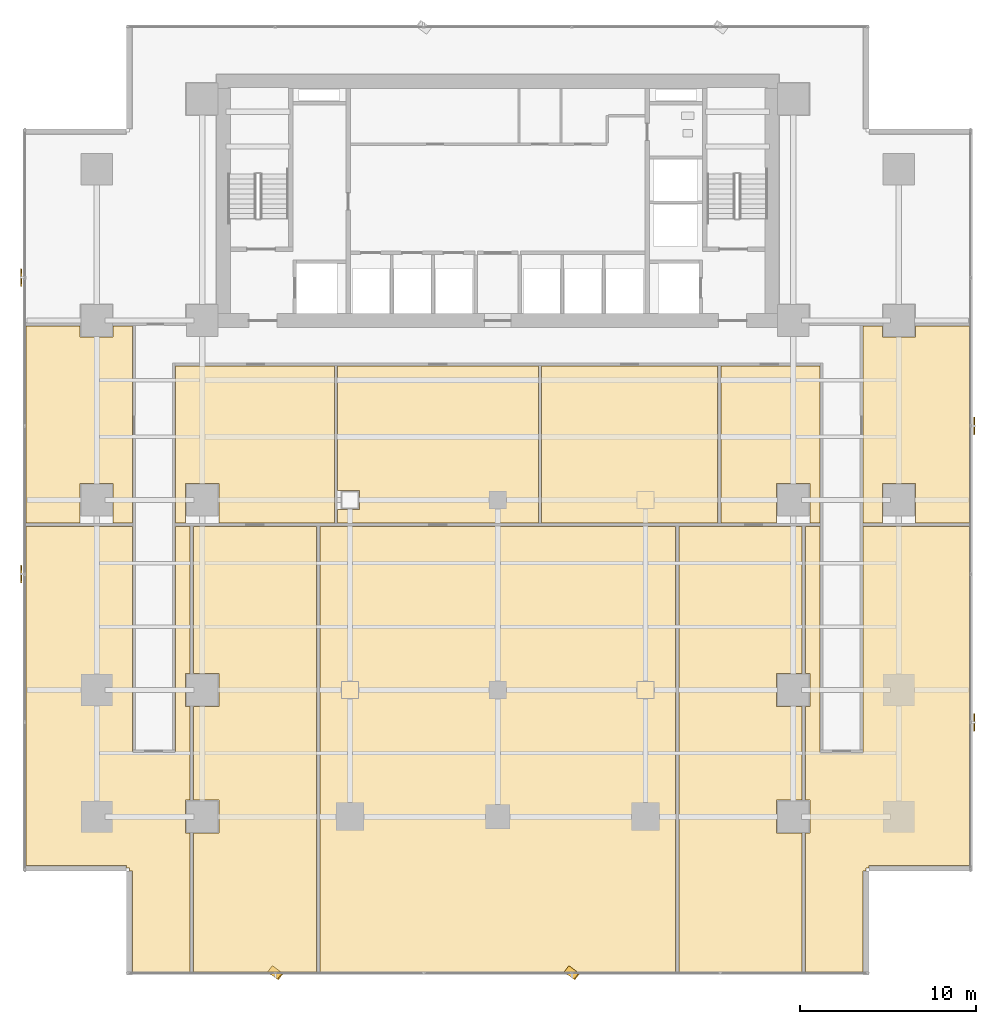
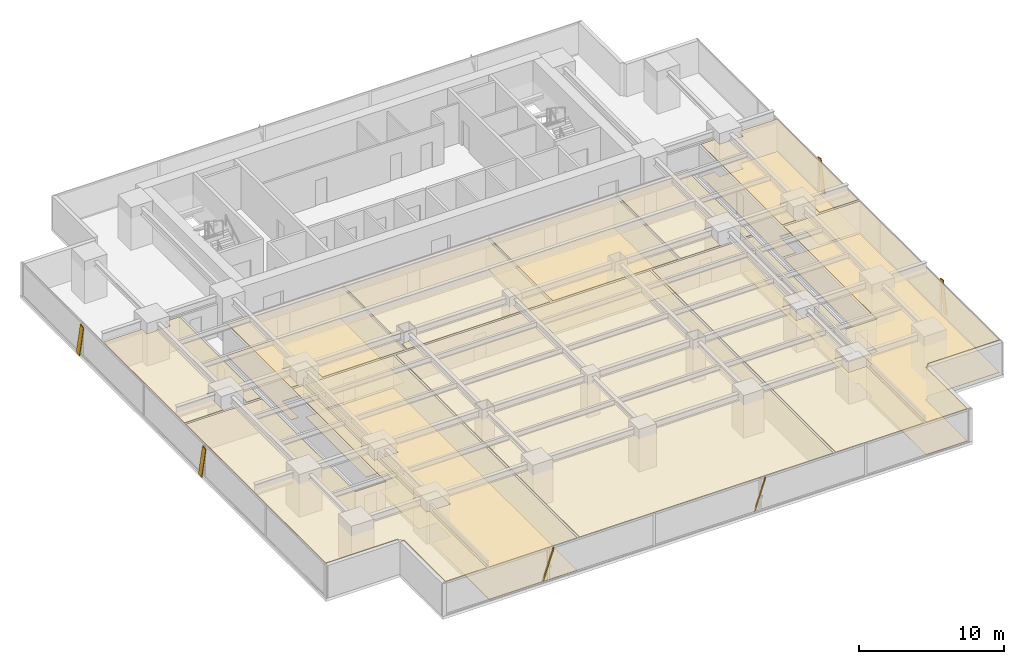
# One storey, part 28 of 32: 16 coverings, 6 shading devices.
"""IFC4 building model written with IfcOpenShell, lengths in metres."""

from ifc_helpers import new_model, si_unit, direction, frame, origin, origin_2d, place, context, subcontext, project, spatial, polyline, rectangle, outline, extrude, source, transform, mapped, material, layer, layer_set, material_profile, profile_set, type_object, element, save


model = new_model("IFC4")

# Units and contexts
model_context = context("Model", 3, precision=1e-05, world=origin(), true_north=direction((0.0, 1.0)))
body_context = subcontext(model_context, "Body", "Model", "MODEL_VIEW")
ifc_project = project(units=[si_unit("LENGTHUNIT", "METRE"), si_unit("AREAUNIT", "SQUARE_METRE"), si_unit("VOLUMEUNIT", "CUBIC_METRE"), si_unit("PLANEANGLEUNIT", "RADIAN"), si_unit("MASSUNIT", "GRAM", prefix="KILO")], contexts=[model_context])

# Site, building, storey
site_placement = place(None, origin())
site = spatial("IfcSite", under=ifc_project, at=site_placement, CompositionType="ELEMENT")
building_placement = place(site_placement, origin())
building = spatial("IfcBuilding", under=site, at=building_placement, Name="Sumidabori Civic Tower", CompositionType="ELEMENT")
storey_placement = place(building_placement, frame((0.0, 0.0, 45.199951171875)))
storey = spatial("IfcBuildingStorey", under=building, at=storey_placement, Name="L11", CompositionType="ELEMENT", Elevation=45.199951171875)

# Coverings
ifc_material_1 = material(Name="Anodised Bronze Baffle Ceiling")
ifc_layer_1 = layer(ifc_material_1, 0.054931640625, Name="Anodised Bronze Baffle Ceiling")
ifc_layer_set_1 = layer_set([ifc_layer_1], Name="Anodised Bronze Baffle Ceiling")
covering_type_1 = type_object("IfcCoveringType", Name="CV-CEIL-AC3", PredefinedType="CEILING", material=ifc_layer_set_1)
covering_1_placement = place(storey_placement, frame((0.0, 0.0, 2.7099609375)))
element("IfcCovering", 1, at=covering_1_placement, inside=storey, type_object=covering_type_1, Name="Room Acoustic Ceiling L11-02", PredefinedType="CEILING", context=body_context, shape_type="SweptSolid", body=[
    extrude(outline(polyline([(-26.830078125, -1.304931640625), (-26.830078125, 9.905029296875), (-23.739990234375, 9.905029296875), (-23.739990234375, 9.260009765625), (-21.860107421875, 9.260009765625), (-21.860107421875, 9.905029296875), (-20.77001953125, 9.905029296875), (-20.77001953125, -1.304931640625), (-21.860107421875, -1.304931640625), (-21.860107421875, 0.93994140625), (-23.739990234375, 0.93994140625), (-23.739990234375, -1.304931640625), (-26.830078125, -1.304931640625)])), origin(), (0.0, 0.0, 1.0), 0.05517578125),
])
covering_2_placement = place(storey_placement, frame((0.0, 0.0, 2.7099609375)))
element("IfcCovering", 2, at=covering_2_placement, inside=storey, type_object=covering_type_1, Name="Room Acoustic Ceiling L11-03", PredefinedType="CEILING", context=body_context, shape_type="SweptSolid", body=[
    extrude(outline(polyline([(20.77001953125, 9.905029296875), (21.860107421875, 9.905029296875), (21.860107421875, 9.260009765625), (23.739990234375, 9.260009765625), (23.739990234375, 9.905029296875), (26.830078125, 9.905029296875), (26.830078125, -1.304931640625), (23.739990234375, -1.304931640625), (23.739990234375, 0.93994140625), (21.860107421875, 0.93994140625), (21.860107421875, -1.304931640625), (20.77001953125, -1.304931640625), (20.77001953125, 9.905029296875)])), origin(), (0.0, 0.0, 1.0), 0.05517578125),
])
covering_3_placement = place(storey_placement, frame((0.0, 0.0, 2.7099609375)))
element("IfcCovering", 3, at=covering_3_placement, inside=storey, type_object=covering_type_1, Name="Room Acoustic Ceiling L11-04", PredefinedType="CEILING", context=body_context, shape_type="SweptSolid", body=[
    extrude(outline(polyline([(12.695068359375, 7.6298828125), (18.330078125, 7.6298828125), (18.330078125, -1.304931640625), (17.739990234375, -1.304931640625), (17.739990234375, 0.93994140625), (15.860107421875, 0.93994140625), (15.860107421875, -1.304931640625), (12.695068359375, -1.304931640625), (12.695068359375, 7.6298828125)])), origin(), (0.0, 0.0, 1.0), 0.05517578125),
])
covering_4_placement = place(storey_placement, frame((0.0, 0.0, 2.7099609375)))
element("IfcCovering", 4, at=covering_4_placement, inside=storey, type_object=covering_type_1, Name="Room Acoustic Ceiling L11-05", PredefinedType="CEILING", context=body_context, shape_type="SweptSolid", body=[
    extrude(outline(polyline([(-18.330078125, 7.6298828125), (-9.294921875, 7.6298828125), (-9.294921875, -1.304931640625), (-15.860107421875, -1.304931640625), (-15.860107421875, 0.93994140625), (-17.739990234375, 0.93994140625), (-17.739990234375, -1.304931640625), (-18.330078125, -1.304931640625), (-18.330078125, 7.6298828125)])), origin(), (0.0, 0.0, 1.0), 0.05517578125),
])
covering_5_placement = place(storey_placement, frame((0.0, 0.0, 2.7099609375)))
element("IfcCovering", 5, at=covering_5_placement, inside=storey, type_object=covering_type_1, Name="Room Acoustic Ceiling L11-06", PredefinedType="CEILING", context=body_context, shape_type="SweptSolid", body=[
    extrude(outline(polyline([(-9.10498046875, -0.5400390625), (-7.860107421875, -0.5400390625), (-7.860107421875, 0.5400390625), (-9.10498046875, 0.5400390625), (-9.10498046875, 7.6298828125), (2.304931640625, 7.6298828125), (2.304931640625, -1.304931640625), (-9.10498046875, -1.304931640625), (-9.10498046875, -0.5400390625)])), origin(), (0.0, 0.0, 1.0), 0.05517578125),
])
covering_6_placement = place(storey_placement, frame((0.0, 0.0, 2.7099609375)))
element("IfcCovering", 6, at=covering_6_placement, inside=storey, type_object=covering_type_1, Name="Room Acoustic Ceiling L11-07", PredefinedType="CEILING", context=body_context, shape_type="SweptSolid", body=[
    extrude(outline(polyline([(2.4951171875, 7.6298828125), (12.5048828125, 7.6298828125), (12.5048828125, -1.304931640625), (2.4951171875, -1.304931640625), (2.4951171875, 7.6298828125)])), origin(), (0.0, 0.0, 1.0), 0.05517578125),
])
covering_7_placement = place(storey_placement, frame((0.0, 0.0, 2.7099609375)))
element("IfcCovering", 7, at=covering_7_placement, inside=storey, type_object=covering_type_1, Name="Room Acoustic Ceiling L11-08", PredefinedType="CEILING", context=body_context, shape_type="SweptSolid", body=[
    extrude(outline(polyline([(-26.830078125, -20.77197265625), (-26.830078125, -1.4951171875), (-20.77001953125, -1.4951171875), (-20.77001953125, -14.3701171875), (-18.330078125, -14.3701171875), (-18.330078125, -1.4951171875), (-17.4951171875, -1.4951171875), (-17.4951171875, -9.860107421875), (-17.739990234375, -9.860107421875), (-17.739990234375, -11.739990234375), (-17.4951171875, -11.739990234375), (-17.4951171875, -17.06005859375), (-17.739990234375, -17.06005859375), (-17.739990234375, -18.93994140625), (-17.4951171875, -18.93994140625), (-17.4951171875, -26.830078125), (-20.77197265625, -26.830078125), (-20.77197265625, -21.092041015625), (-20.929931640625, -21.092041015625), (-20.929931640625, -20.929931640625), (-21.092041015625, -20.929931640625), (-21.092041015625, -20.77197265625), (-26.830078125, -20.77197265625)])), origin(), (0.0, 0.0, 1.0), 0.05517578125),
])
covering_8_placement = place(storey_placement, frame((0.0, 0.0, 2.7099609375)))
element("IfcCovering", 8, at=covering_8_placement, inside=storey, type_object=covering_type_1, Name="Room Acoustic Ceiling L11-09", PredefinedType="CEILING", context=body_context, shape_type="SweptSolid", body=[
    extrude(outline(polyline([(18.330078125, -14.3701171875), (20.77001953125, -14.3701171875), (20.77001953125, -1.4951171875), (26.830078125, -1.4951171875), (26.830078125, -20.77197265625), (21.092041015625, -20.77197265625), (21.092041015625, -20.929931640625), (20.929931640625, -20.929931640625), (20.929931640625, -21.092041015625), (20.77197265625, -21.092041015625), (20.77197265625, -26.830078125), (17.4951171875, -26.830078125), (17.4951171875, -18.93994140625), (17.739990234375, -18.93994140625), (17.739990234375, -17.06005859375), (17.4951171875, -17.06005859375), (17.4951171875, -11.739990234375), (17.739990234375, -11.739990234375), (17.739990234375, -9.860107421875), (17.4951171875, -9.860107421875), (17.4951171875, -1.4951171875), (18.330078125, -1.4951171875), (18.330078125, -14.3701171875)])), origin(), (0.0, 0.0, 1.0), 0.05517578125),
])
covering_9_placement = place(storey_placement, frame((0.0, 0.0, 2.7099609375)))
element("IfcCovering", 9, at=covering_9_placement, inside=storey, type_object=covering_type_1, Name="Room Acoustic Ceiling L11-10", PredefinedType="CEILING", context=body_context, shape_type="SweptSolid", body=[
    extrude(outline(polyline([(10.10498046875, -26.830078125), (-10.10498046875, -26.830078125), (-10.10498046875, -1.4951171875), (10.10498046875, -1.4951171875), (10.10498046875, -26.830078125)])), origin(), (0.0, 0.0, 1.0), 0.05517578125),
])
covering_10_placement = place(storey_placement, frame((0.0, 0.0, 2.7099609375)))
element("IfcCovering", 10, at=covering_10_placement, inside=storey, type_object=covering_type_1, Name="Room Acoustic Ceiling L11-11", PredefinedType="CEILING", context=body_context, shape_type="SweptSolid", body=[
    extrude(outline(polyline([(-10.294921875, -26.830078125), (-17.304931640625, -26.830078125), (-17.304931640625, -18.93994140625), (-15.860107421875, -18.93994140625), (-15.860107421875, -17.06005859375), (-17.304931640625, -17.06005859375), (-17.304931640625, -11.739990234375), (-15.860107421875, -11.739990234375), (-15.860107421875, -9.860107421875), (-17.304931640625, -9.860107421875), (-17.304931640625, -1.4951171875), (-10.294921875, -1.4951171875), (-10.294921875, -26.830078125)])), origin(), (0.0, 0.0, 1.0), 0.05517578125),
])
covering_11_placement = place(storey_placement, frame((0.0, 0.0, 2.7099609375)))
element("IfcCovering", 11, at=covering_11_placement, inside=storey, type_object=covering_type_1, Name="Room Acoustic Ceiling L11-12", PredefinedType="CEILING", context=body_context, shape_type="SweptSolid", body=[
    extrude(outline(polyline([(17.304931640625, -9.860107421875), (15.860107421875, -9.860107421875), (15.860107421875, -11.739990234375), (17.304931640625, -11.739990234375), (17.304931640625, -17.06005859375), (15.860107421875, -17.06005859375), (15.860107421875, -18.93994140625), (17.304931640625, -18.93994140625), (17.304931640625, -26.830078125), (10.294921875, -26.830078125), (10.294921875, -1.4951171875), (17.304931640625, -1.4951171875), (17.304931640625, -9.860107421875)])), origin(), (0.0, 0.0, 1.0), 0.05517578125),
])
ifc_material_2 = material(Name="Honed Terrazzo Tile Flooring")
ifc_layer_2 = layer(ifc_material_2, 0.030029296875, Name="Honed Terrazzo Tile Flooring")
ifc_layer_set_2 = layer_set([ifc_layer_2], Name="Honed Terrazzo Tile Flooring")
covering_type_2 = type_object("IfcCoveringType", Name="CV-FLR-TER", PredefinedType="FLOORING", material=ifc_layer_set_2)
covering_12_placement = place(storey_placement, origin())
element("IfcCovering", 12, at=covering_12_placement, inside=storey, type_object=covering_type_2, Name="Room Terrazzo Floor L11-03", PredefinedType="FLOORING", context=body_context, shape_type="SweptSolid", body=[
    extrude(outline(polyline([(20.77001953125, 9.905029296875), (21.860107421875, 9.905029296875), (21.860107421875, 9.260009765625), (23.739990234375, 9.260009765625), (23.739990234375, 9.905029296875), (26.830078125, 9.905029296875), (26.830078125, -1.304931640625), (23.739990234375, -1.304931640625), (23.739990234375, 0.93994140625), (21.860107421875, 0.93994140625), (21.860107421875, -1.304931640625), (20.77001953125, -1.304931640625), (20.77001953125, 9.905029296875)])), origin(), (0.0, 0.0, 1.0), 0.030029296875),
])
covering_13_placement = place(storey_placement, origin())
element("IfcCovering", 13, at=covering_13_placement, inside=storey, type_object=covering_type_2, Name="Room Terrazzo Floor L11-05", PredefinedType="FLOORING", context=body_context, shape_type="SweptSolid", body=[
    extrude(outline(polyline([(-18.330078125, 7.6298828125), (-9.294921875, 7.6298828125), (-9.294921875, -1.304931640625), (-15.860107421875, -1.304931640625), (-15.860107421875, 0.93994140625), (-17.739990234375, 0.93994140625), (-17.739990234375, -1.304931640625), (-18.330078125, -1.304931640625), (-18.330078125, 7.6298828125)])), origin(), (0.0, 0.0, 1.0), 0.030029296875),
])
covering_14_placement = place(storey_placement, origin())
element("IfcCovering", 14, at=covering_14_placement, inside=storey, type_object=covering_type_2, Name="Room Terrazzo Floor L11-07", PredefinedType="FLOORING", context=body_context, shape_type="SweptSolid", body=[
    extrude(outline(polyline([(2.4951171875, 7.6298828125), (12.5048828125, 7.6298828125), (12.5048828125, -1.304931640625), (2.4951171875, -1.304931640625), (2.4951171875, 7.6298828125)])), origin(), (0.0, 0.0, 1.0), 0.030029296875),
])
covering_15_placement = place(storey_placement, origin())
element("IfcCovering", 15, at=covering_15_placement, inside=storey, type_object=covering_type_2, Name="Room Terrazzo Floor L11-09", PredefinedType="FLOORING", context=body_context, shape_type="SweptSolid", body=[
    extrude(outline(polyline([(18.330078125, -14.3701171875), (20.77001953125, -14.3701171875), (20.77001953125, -1.4951171875), (26.830078125, -1.4951171875), (26.830078125, -20.77197265625), (21.092041015625, -20.77197265625), (21.092041015625, -20.929931640625), (20.929931640625, -20.929931640625), (20.929931640625, -21.092041015625), (20.77197265625, -21.092041015625), (20.77197265625, -26.830078125), (17.4951171875, -26.830078125), (17.4951171875, -18.93994140625), (17.739990234375, -18.93994140625), (17.739990234375, -17.06005859375), (17.4951171875, -17.06005859375), (17.4951171875, -11.739990234375), (17.739990234375, -11.739990234375), (17.739990234375, -9.860107421875), (17.4951171875, -9.860107421875), (17.4951171875, -1.4951171875), (18.330078125, -1.4951171875), (18.330078125, -14.3701171875)])), origin(), (0.0, 0.0, 1.0), 0.030029296875),
])
covering_16_placement = place(storey_placement, origin())
element("IfcCovering", 16, at=covering_16_placement, inside=storey, type_object=covering_type_2, Name="Room Terrazzo Floor L11-11", PredefinedType="FLOORING", context=body_context, shape_type="SweptSolid", body=[
    extrude(outline(polyline([(-10.294921875, -26.830078125), (-17.304931640625, -26.830078125), (-17.304931640625, -18.93994140625), (-15.860107421875, -18.93994140625), (-15.860107421875, -17.06005859375), (-17.304931640625, -17.06005859375), (-17.304931640625, -11.739990234375), (-15.860107421875, -11.739990234375), (-15.860107421875, -9.860107421875), (-17.304931640625, -9.860107421875), (-17.304931640625, -1.4951171875), (-10.294921875, -1.4951171875), (-10.294921875, -26.830078125)])), origin(), (0.0, 0.0, 1.0), 0.030029296875),
])

# Shading devices
ifc_material_3 = material(Name="Anodised Bronze Aluminium AW-6063-T6", Category="aluminium")
ifc_material_profile = material_profile(ifc_material_3, rectangle(XDim=0.06005859375, YDim=0.449951171875, at=origin_2d()), Name="BRONZE FIN 450x60")
ifc_profile_set = profile_set([ifc_material_profile], Name="Anodised Bronze Aluminium AW-6063-T6")
shading_device_type = type_object("IfcShadingDeviceType", Name="SH-FIN-450", PredefinedType="USERDEFINED", material=ifc_profile_set)
shared_shape_1 = source(origin(), body_context, "Body", "SweptSolid", [
    extrude(rectangle(XDim=0.06005859375, YDim=0.449951171875, at=origin_2d()), origin(), (0.0, 0.0, 1.0), 2.769775390625),
])
for number, where, z_axis, x_axis, name in (
    (17, (-12.922119140625, -26.669921875, 0.02001953125), (0.202195931323, -0.151691019096, 0.967526041035), (0.773939855131, -0.580623579198, -0.252771358975), "Bronze Anodised Diagonal Fin L11-01"),
    (18, (3.93408203125, -26.669921875, 0.02001953125), (0.20211139135, -0.151693721986, 0.967543280787), (0.773832092044, -0.580795913828, -0.252705361643), "Bronze Anodised Diagonal Fin L11-03"),
):
    element("IfcShadingDevice", number, at=place(storey_placement, frame(where, z_axis=z_axis, x_axis=x_axis)), inside=storey, type_object=shading_device_type, Name=name, ObjectType="FIN", PredefinedType="USERDEFINED", context=body_context, shape_type="MappedRepresentation", body=[
        mapped(shared_shape_1, transform((0.0, 0.0, 0.0), x_axis=(1.0, 0.0, 0.0), y_axis=(0.0, 1.0, 0.0), z_axis=(0.0, 0.0, 1.0), scale=1.0)),
    ])
shared_shape_2 = source(origin(), body_context, "Body", "SweptSolid", [
    extrude(rectangle(XDim=0.06005859375, YDim=0.449951171875, at=origin_2d()), origin(), (0.0, 0.0, 1.0), 2.73779296875),
])
for number, where, z_axis, x_axis, name in (
    (19, (27.090087890625, -12.922119140625, 0.02001953125), (0.0, 0.204563143937, 0.978853370093), (-1.0, 0.0, 0.0), "Bronze Anodised Diagonal Fin L11-01"),
    (20, (27.090087890625, 3.93408203125, 0.02001953125), (0.0, 0.204477700022, 0.978871222477), (-1.0, 0.0, 0.0), "Bronze Anodised Diagonal Fin L11-03"),
    (21, (-27.090087890625, 12.922119140625, 0.02001953125), (0.0, -0.204563143937, 0.978853370093), (-1.0, 0.0, 0.0), "Bronze Anodised Diagonal Fin L11-01"),
    (22, (-27.090087890625, -3.93408203125, 0.02001953125), (0.0, -0.204477700022, 0.978871222477), (-1.0, 0.0, 0.0), "Bronze Anodised Diagonal Fin L11-03"),
):
    element("IfcShadingDevice", number, at=place(storey_placement, frame(where, z_axis=z_axis, x_axis=x_axis)), inside=storey, type_object=shading_device_type, Name=name, ObjectType="FIN", PredefinedType="USERDEFINED", context=body_context, shape_type="MappedRepresentation", body=[
        mapped(shared_shape_2, transform((0.0, 0.0, 0.0), x_axis=(1.0, 0.0, 0.0), y_axis=(0.0, 1.0, 0.0), z_axis=(0.0, 0.0, 1.0), scale=1.0)),
    ])

save(model, "model.ifc")
